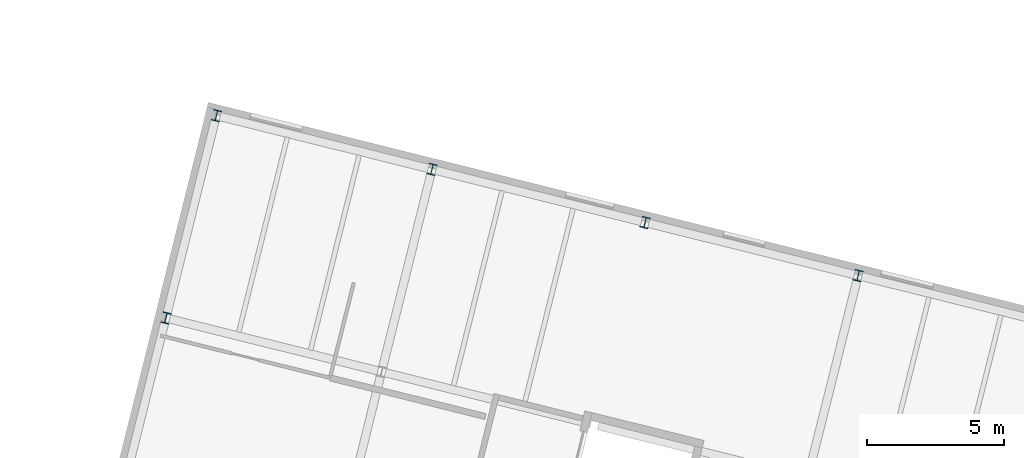
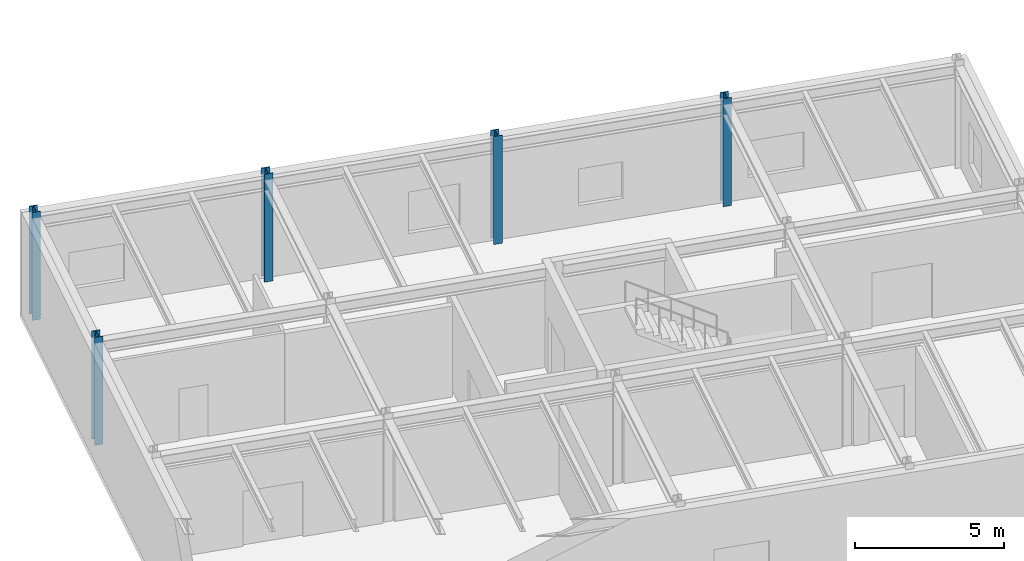
# One storey, part 11 of 103: 5 columns.
"""IFC4 building model written with IfcOpenShell, lengths in metres."""

from ifc_helpers import new_model, si_unit, direction, frame, origin, origin_2d, place, context, subcontext, project, spatial, i_section, extrude, material, material_profile, profile_set, type_object, element, save


model = new_model("IFC4")

# Units and contexts
model_context = context("Model", 3, precision=1e-05, world=origin(), true_north=direction((0.0, 1.0)))
body_context = subcontext(model_context, "Body", "Model", "MODEL_VIEW")
ifc_project = project(units=[si_unit("LENGTHUNIT", "METRE"), si_unit("AREAUNIT", "SQUARE_METRE"), si_unit("VOLUMEUNIT", "CUBIC_METRE"), si_unit("PLANEANGLEUNIT", "RADIAN"), si_unit("MASSUNIT", "GRAM", prefix="KILO")], contexts=[model_context])

# Site, building, storey
site_placement = place(None, origin())
site = spatial("IfcSite", under=ifc_project, at=site_placement, CompositionType="ELEMENT")
building_placement = place(site_placement, origin())
building = spatial("IfcBuilding", under=site, at=building_placement, Name="Varnklinge Art Gallery", CompositionType="ELEMENT")
storey_placement = place(building_placement, frame((0.0, 0.0, 5.10009765625)))
storey = spatial("IfcBuildingStorey", under=building, at=storey_placement, Name="L01", CompositionType="ELEMENT", Elevation=5.10009765625)

# Columns
ifc_material = material(Name="Steel S355", Category="steel")
ifc_material_profile = material_profile(ifc_material, i_section(OverallWidth=0.300048828125, OverallDepth=0.39990234375, WebThickness=0.013427734375, FlangeThickness=0.02392578125, FilletRadius=0.027099609375, at=origin_2d()), Name="HEB 400")
ifc_profile_set = profile_set([ifc_material_profile], Name="Steel S355")
column_type = type_object("IfcColumnType", Name="COL-E3", PredefinedType="COLUMN", material=ifc_profile_set)
for number, where, z_axis, x_axis, name in (
    (1, (9.22509765625, 99.791015625, 0.0), (0.0, 0.0, 1.0), (0.970295726276, -0.2419218956, 0.0), "L01 Column V5C-1-3"),
    (2, (11.063720703125, 107.165283203125, 0.0), (0.0, 0.0, 1.0), (0.970295726276, -0.2419218956, 0.0), "L01 Column V5C-1-4"),
    (3, (18.923095703125, 105.205810546875, 0.0), (0.0, 0.0, 1.0), (0.970295726276, -0.2419218956, 0.0), "L01 Column V5C-2-4"),
    (4, (26.685302734375, 103.270263671875, 0.0), (0.0, 0.0, 1.0), (0.970295726276, -0.2419218956, 0.0), "L01 Column V5C-3-4"),
    (5, (34.44775390625, 101.3349609375, 0.0), (0.0, 0.0, 1.0), (0.970295726276, -0.2419218956, 0.0), "L01 Column V5C-4-4"),
):
    element("IfcColumn", number, at=place(storey_placement, frame(where, z_axis=z_axis, x_axis=x_axis)), inside=storey, type_object=column_type, Name=name, PredefinedType="COLUMN", context=body_context, shape_type="SweptSolid", body=[
        extrude(i_section(OverallWidth=0.300048828125, OverallDepth=0.39990234375, WebThickness=0.013427734375, FlangeThickness=0.02392578125, FilletRadius=0.027099609375, at=origin_2d()), origin(), (0.0, 0.0, 1.0), 4.419921875),
    ])

save(model, "model.ifc")
